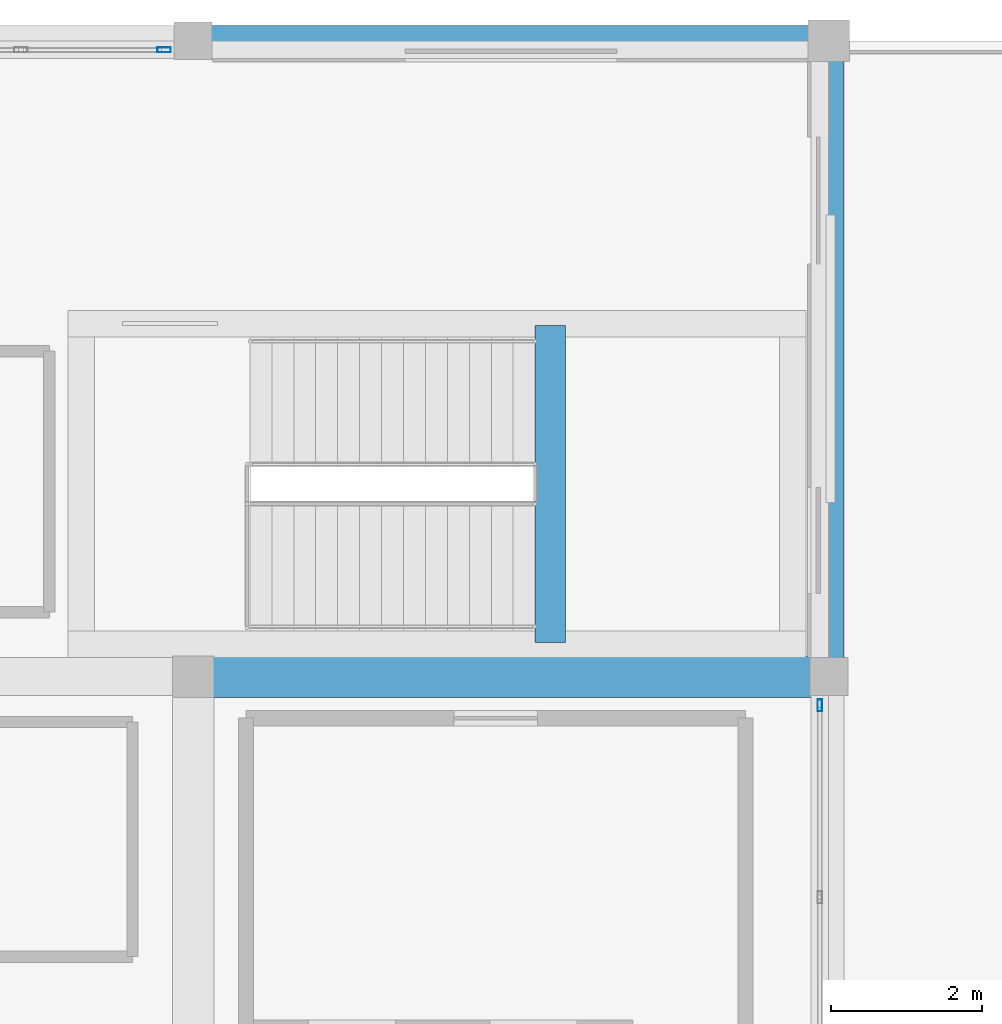
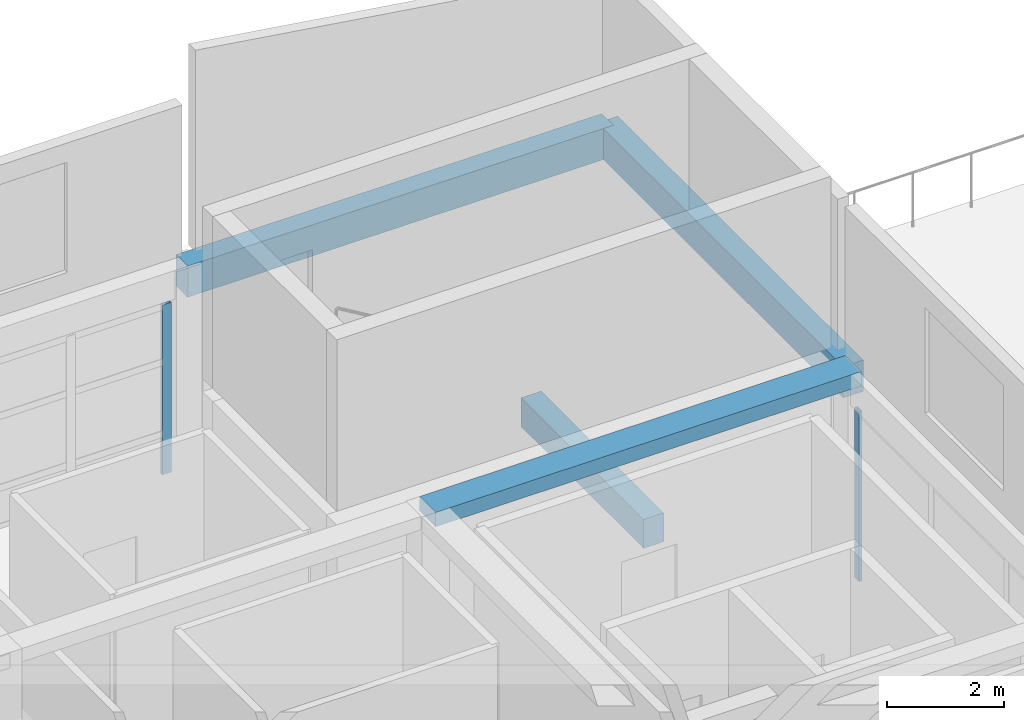
# One storey, part 12 of 17: 4 beams, 2 members, 2 elements without a shape of their own.
"""IFC4 building model written with IfcOpenShell, lengths in metres."""

from ifc_helpers import new_model, si_unit, direction, frame, origin, origin_2d, place, context, subcontext, project, spatial, rectangle, hollow_rectangle, extrude, material, material_profile, profile_set, type_object, element, aggregate, save


model = new_model("IFC4")

# Units and contexts
model_context = context("Model", 3, precision=1e-05, world=origin(), true_north=direction((0.0, 1.0)))
body_context = subcontext(model_context, "Body", "Model", "MODEL_VIEW")
ifc_project = project(units=[si_unit("LENGTHUNIT", "METRE"), si_unit("AREAUNIT", "SQUARE_METRE"), si_unit("VOLUMEUNIT", "CUBIC_METRE"), si_unit("PLANEANGLEUNIT", "RADIAN"), si_unit("MASSUNIT", "GRAM", prefix="KILO")], contexts=[model_context])

# Site, building, storey
site_placement = place(None, origin())
site = spatial("IfcSite", under=ifc_project, at=site_placement, CompositionType="ELEMENT")
building_placement = place(site_placement, origin())
building = spatial("IfcBuilding", under=site, at=building_placement, Name="Almacenes y Pasaje Nevantli", CompositionType="ELEMENT")
storey_placement = place(building_placement, frame((0.0, 0.0, 66.699951171875)))
storey = spatial("IfcBuildingStorey", under=building, at=storey_placement, Name="L16", CompositionType="ELEMENT", Elevation=66.699951171875)

# Beams
ifc_material_1 = material(Name="Concrete C35/45", Category="concrete")
ifc_material_profile_1 = material_profile(ifc_material_1, rectangle(XDim=0.39990234375, YDim=0.60009765625, at=origin_2d()), Name="RC-BM-400x600")
ifc_profile_set_1 = profile_set([ifc_material_profile_1], Name="Concrete C35/45")
beam_type_1 = type_object("IfcBeamType", Name="BM-RC-400x600", PredefinedType="SPANDREL", material=ifc_profile_set_1)
beam_1_placement = place(storey_placement, frame((139.1201171875, 84.449951171875, 1.75), z_axis=(0.0, 1.0, 0.0), x_axis=(-1.0, 0.0, 0.0)))
element("IfcBeam", 1, at=beam_1_placement, inside=storey, type_object=beam_type_1, Name="L16 Stair ST-02 Half-Landing Support Beam", PredefinedType="SPANDREL", context=body_context, shape_type="SweptSolid", body=[
    extrude(rectangle(XDim=0.39990234375, YDim=0.60009765625, at=origin_2d()), origin(), (0.0, 0.0, 1.0), 4.18994140625),
])
ifc_material_2 = material(Name="Concrete C35/45", Category="concrete")
ifc_material_profile_2 = material_profile(ifc_material_2, rectangle(XDim=0.39990234375, YDim=0.64990234375, at=origin_2d()), Name="RC-BM-400x650")
ifc_profile_set_2 = profile_set([ifc_material_profile_2], Name="Concrete C35/45")
beam_type_2 = type_object("IfcBeamType", Name="BM-RC-400x650", PredefinedType="SPANDREL", material=ifc_profile_set_2)
beam_2_placement = place(storey_placement, frame((134.39990234375, 92.39990234375, 3.89501953125), z_axis=(1.0, 0.0, 0.0), x_axis=(0.0, 1.0, 0.0)))
element("IfcBeam", 2, at=beam_2_placement, inside=storey, type_object=beam_type_2, Name="L16 East-West Reinforced Concrete Beam #4054", PredefinedType="SPANDREL", context=body_context, shape_type="SweptSolid", body=[
    extrude(rectangle(XDim=0.39990234375, YDim=0.64990234375, at=origin_2d()), origin(), (0.0, 0.0, 1.0), 8.400146484375),
])
beam_3_placement = place(storey_placement, frame((142.800048828125, 84.0, 3.89501953125), z_axis=(0.0, 1.0, 0.0), x_axis=(-1.0, 0.0, 0.0)))
element("IfcBeam", 3, at=beam_3_placement, inside=storey, type_object=beam_type_2, Name="L16 North-South Reinforced Concrete Beam #4064", PredefinedType="SPANDREL", context=body_context, shape_type="SweptSolid", body=[
    extrude(rectangle(XDim=0.39990234375, YDim=0.64990234375, at=origin_2d()), origin(), (0.0, 0.0, 1.0), 8.39990234375),
])
ifc_material_3 = material(Name="Concrete C35/45", Category="concrete")
ifc_material_profile_3 = material_profile(ifc_material_3, rectangle(XDim=0.550048828125, YDim=0.300048828125, at=origin_2d()), Name="RC-BM-550x300")
ifc_profile_set_3 = profile_set([ifc_material_profile_3], Name="Concrete C35/45")
beam_type_3 = type_object("IfcBeamType", Name="BM-RC-550x300", PredefinedType="BEAM", material=ifc_profile_set_3)
beam_4_placement = place(storey_placement, frame((134.39990234375, 84.0, 4.070068359375), z_axis=(1.0, 0.0, 0.0), x_axis=(0.0, 1.0, 0.0)))
element("IfcBeam", 4, at=beam_4_placement, inside=storey, type_object=beam_type_3, Name="L16 East-West Reinforced Concrete Beam #4051", PredefinedType="BEAM", context=body_context, shape_type="SweptSolid", body=[
    extrude(rectangle(XDim=0.550048828125, YDim=0.300048828125, at=origin_2d()), origin(), (0.0, 0.0, 1.0), 8.400146484375),
])

# Curtain wall, member
ifc_material_4 = material(Name="Thermally Broken Aluminium and Low-E Glass", Category="aluminium")
curtain_wall_type = type_object("IfcCurtainWallType", Name="CW-UNIT-TOWER", PredefinedType="USERDEFINED", material=ifc_material_4)
curtain_wall_1_placement = place(storey_placement, origin())
curtain_wall_1 = element("IfcCurtainWall", 5, at=curtain_wall_1_placement, inside=storey, type_object=curtain_wall_type, Name="L16 Tower East Curtain Wall Bay 10", ObjectType="UNITIZED CURTAIN WALL", PredefinedType="USERDEFINED")
ifc_material_5 = material(Name="Thermally Broken Anodized Aluminium", Category="aluminium")
ifc_material_profile_4 = material_profile(ifc_material_5, hollow_rectangle(XDim=0.06005859375, YDim=0.159912109375, WallThickness=0.00390625, at=origin_2d()), Name="ALU-MUL-60x160")
ifc_profile_set_4 = profile_set([ifc_material_profile_4], Name="Thermally Broken Anodized Aluminium")
member_type_1 = type_object("IfcMemberType", Name="CW-MUL-180", PredefinedType="MULLION", material=ifc_profile_set_4)
member_1_placement = place(storey_placement, frame((142.679931640625, 83.6201171875, 0.0), z_axis=(0.0, 0.0, 1.0), x_axis=(-1.0, 0.0, 0.0)))
member_1 = element("IfcMember", 6, at=member_1_placement, type_object=member_type_1, Name="CW-L16-195 mullion 4", PredefinedType="MULLION", context=body_context, shape_type="SweptSolid", body=[
    extrude(hollow_rectangle(XDim=0.06005859375, YDim=0.159912109375, WallThickness=0.00390625, at=origin_2d()), origin(), (0.0, 0.0, 1.0), 3.5400390625),
])
aggregate(curtain_wall_1, [member_1])

curtain_wall_2_placement = place(storey_placement, origin())
curtain_wall_2 = element("IfcCurtainWall", 7, at=curtain_wall_2_placement, inside=storey, type_object=curtain_wall_type, Name="L16 Tower North Boulevard Unitized Curtain Wall Bay 16", ObjectType="UNITIZED CURTAIN WALL", PredefinedType="USERDEFINED")
ifc_material_6 = material(Name="Thermally Broken Anodized Aluminium", Category="aluminium")
ifc_material_profile_5 = material_profile(ifc_material_6, hollow_rectangle(XDim=0.06494140625, YDim=0.179931640625, WallThickness=0.00390625, at=origin_2d()), Name="ALU-MUL-65x180")
ifc_profile_set_5 = profile_set([ifc_material_profile_5], Name="Thermally Broken Anodized Aluminium")
member_type_2 = type_object("IfcMemberType", Name="CW-MUL-200", PredefinedType="MULLION", material=ifc_profile_set_5)
member_2_placement = place(storey_placement, frame((134.017578125, 92.280029296875, 0.0), z_axis=(0.0, 0.0, 1.0), x_axis=(0.0, 1.0, 0.0)))
member_2 = element("IfcMember", 8, at=member_2_placement, type_object=member_type_2, Name="CW-L16-192 mullion 5", PredefinedType="MULLION", context=body_context, shape_type="SweptSolid", body=[
    extrude(hollow_rectangle(XDim=0.06494140625, YDim=0.179931640625, WallThickness=0.00390625, at=origin_2d()), origin(), (0.0, 0.0, 1.0), 3.5400390625),
])
aggregate(curtain_wall_2, [member_2])

save(model, "model.ifc")
